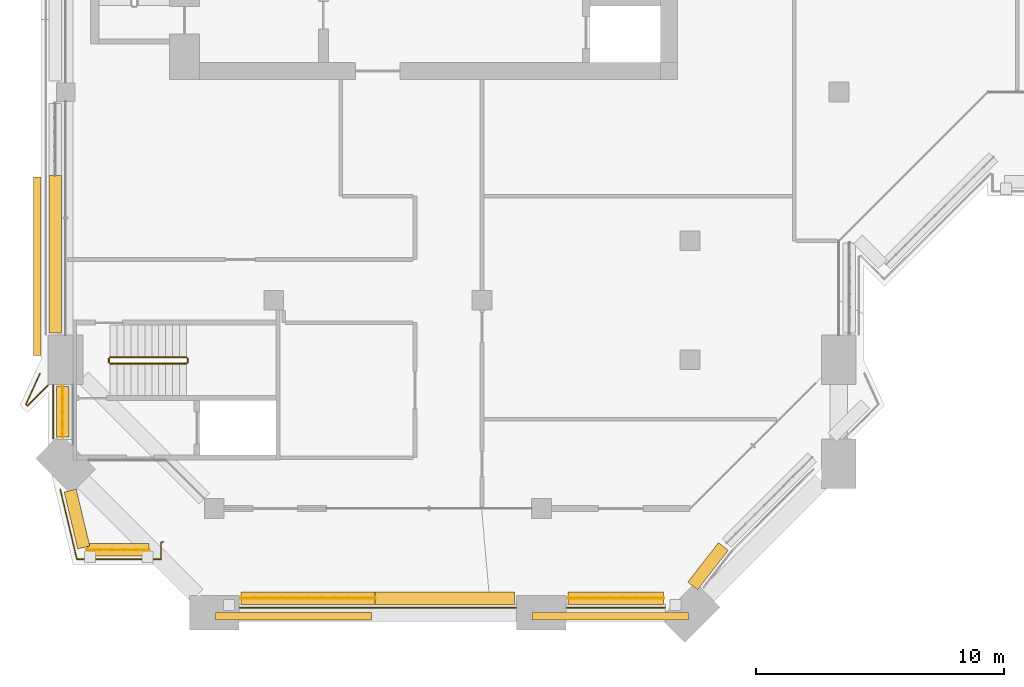
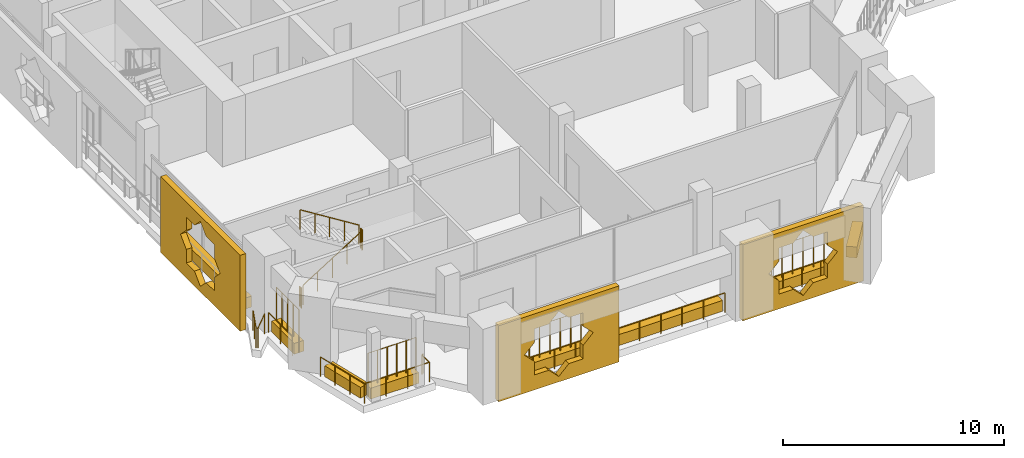
# One storey, part 15 of 22: 13 railings, 11 coverings.
"""IFC4 building model written with IfcOpenShell, lengths in metres."""

from ifc_helpers import new_model, si_unit, direction, frame, origin, origin_2d, place, context, subcontext, project, spatial, polyline, rectangle, circle, outline, extrude, material, material_profile, profile_set, type_object, element, save


model = new_model("IFC4")

# Units and contexts
model_context = context("Model", 3, precision=1e-05, world=origin(), true_north=direction((0.0, 1.0)))
body_context = subcontext(model_context, "Body", "Model", "MODEL_VIEW")
ifc_project = project(units=[si_unit("LENGTHUNIT", "METRE"), si_unit("AREAUNIT", "SQUARE_METRE"), si_unit("VOLUMEUNIT", "CUBIC_METRE"), si_unit("PLANEANGLEUNIT", "RADIAN"), si_unit("MASSUNIT", "GRAM", prefix="KILO")], contexts=[model_context])

# Site, building, storey
site_placement = place(None, origin())
site = spatial("IfcSite", under=ifc_project, at=site_placement, CompositionType="ELEMENT")
building_placement = place(site_placement, origin())
building = spatial("IfcBuilding", under=site, at=building_placement, Name="Kawkab Arch Medical Tower", CompositionType="ELEMENT")
storey_placement = place(building_placement, frame((0.0, 0.0, 294.39990234375)))
storey = spatial("IfcBuildingStorey", under=building, at=storey_placement, Name="L68", CompositionType="ELEMENT", Elevation=294.39990234375)

# Railings
ifc_material_1 = material(Name="Bronze anodised aluminium guard", Category="aluminium")
railing_type_1 = type_object("IfcRailingType", Name="Loggia and terrace guard 1100", PredefinedType="GUARDRAIL", material=ifc_material_1)
railing_1_placement = place(storey_placement, frame((3.94189453125, -43.339111328125, 0.0)))
element("IfcRailing", 1, at=railing_1_placement, inside=storey, type_object=railing_type_1, Name="Guard L68.LOG-01.1.1", PredefinedType="GUARDRAIL", context=body_context, shape_type="SweptSolid", body=[
    extrude(circle(Radius=0.02392578125, at=origin_2d()), frame((0.0, 0.0, 1.076171875), z_axis=(-0.924525255645, -0.381120783577, 0.0), x_axis=(0.381120783577, -0.924525255645, 0.0)), (0.0, 0.0, 1.0), 0.099365234375),
    extrude(circle(Radius=0.02392578125, at=origin_2d()), frame((-0.091796875, -0.037841796875, 1.076171875), z_axis=(0.0, -1.0, 0.0), x_axis=(1.0, 0.0, 0.0)), (0.0, 0.0, 1.0), 0.673095703125),
    extrude(circle(Radius=0.02392578125, at=origin_2d()), frame((-0.091796875, -0.7109375, 1.076171875), z_axis=(-1.0, 0.0, 0.0), x_axis=(0.0, -1.0, 0.0)), (0.0, 0.0, 1.0), 3.39208984375),
    extrude(circle(Radius=0.02392578125, at=origin_2d()), frame((-3.48388671875, -0.7109375, 1.076171875), z_axis=(-0.231442138983, 0.972848670813, 0.0), x_axis=(-0.972848670813, -0.231442138983, 0.0)), (0.0, 0.0, 1.0), 2.898681640625),
    extrude(circle(Radius=0.02099609375, at=origin_2d()), origin(), (0.0, 0.0, 1.0), 1.052001953125),
    extrude(circle(Radius=0.02099609375, at=origin_2d()), frame((-0.091796875, -0.037841796875, 0.0)), (0.0, 0.0, 1.0), 1.052001953125),
    extrude(circle(Radius=0.02099609375, at=origin_2d()), frame((-0.091796875, -0.7109375, 0.0)), (0.0, 0.0, 1.0), 1.052001953125),
    extrude(circle(Radius=0.02099609375, at=origin_2d()), frame((-1.222412109375, -0.7109375, 0.0)), (0.0, 0.0, 1.0), 1.052001953125),
    extrude(circle(Radius=0.02099609375, at=origin_2d()), frame((-2.353271484375, -0.7109375, 0.0)), (0.0, 0.0, 1.0), 1.052001953125),
    extrude(circle(Radius=0.02099609375, at=origin_2d()), frame((-3.48388671875, -0.7109375, 0.0)), (0.0, 0.0, 1.0), 1.052001953125),
    extrude(circle(Radius=0.02099609375, at=origin_2d()), frame((-3.70751953125, 0.22900390625, 0.0)), (0.0, 0.0, 1.0), 1.052001953125),
    extrude(circle(Radius=0.02099609375, at=origin_2d()), frame((-3.93115234375, 1.169189453125, 0.0)), (0.0, 0.0, 1.0), 1.052001953125),
    extrude(circle(Radius=0.02099609375, at=origin_2d()), frame((-4.15478515625, 2.109130859375, 0.0)), (0.0, 0.0, 1.0), 1.052001953125),
])
railing_2_placement = place(storey_placement, frame((-0.5, -39.169921875, 0.0)))
element("IfcRailing", 2, at=railing_2_placement, inside=storey, type_object=railing_type_1, Name="Guard L68.LOG-01.1.2", PredefinedType="GUARDRAIL", context=body_context, shape_type="SweptSolid", body=[
    extrude(circle(Radius=0.02392578125, at=origin_2d()), frame((0.0, 0.0, 1.076171875), z_axis=(0.0, 1.0, 0.0), x_axis=(-1.0, 0.0, 0.0)), (0.0, 0.0, 1.0), 2.139892578125),
    extrude(circle(Radius=0.02099609375, at=origin_2d()), origin(), (0.0, 0.0, 1.0), 1.052001953125),
    extrude(circle(Radius=0.02099609375, at=origin_2d()), frame((0.0, 1.06982421875, 0.0)), (0.0, 0.0, 1.0), 1.052001953125),
    extrude(circle(Radius=0.02099609375, at=origin_2d()), frame((0.0, 2.139892578125, 0.0)), (0.0, 0.0, 1.0), 1.052001953125),
])
railing_3_placement = place(storey_placement, frame((-0.712890625, -37.030029296875, 0.0)))
element("IfcRailing", 3, at=railing_3_placement, inside=storey, type_object=railing_type_1, Name="Guard L68.LOG-01.1.3", PredefinedType="GUARDRAIL", context=body_context, shape_type="SweptSolid", body=[
    extrude(circle(Radius=0.02392578125, at=origin_2d()), frame((0.0, 0.0, 1.076171875), z_axis=(-0.707211390517, -0.707002156378, 0.0), x_axis=(0.707002156378, -0.707211390517, 0.0)), (0.0, 0.0, 1.0), 1.166748046875),
    extrude(circle(Radius=0.02392578125, at=origin_2d()), frame((-0.8251953125, -0.824951171875, 1.076171875), z_axis=(-0.705665181634, 0.708545447681, 0.0), x_axis=(-0.708545447681, -0.705665181634, 0.0)), (0.0, 0.0, 1.0), 0.084716796875),
    extrude(circle(Radius=0.02392578125, at=origin_2d()), frame((-0.885009765625, -0.764892578125, 1.076171875), z_axis=(0.414487545312, 0.910054984483, 0.0), x_axis=(-0.910054984483, 0.414487545312, 0.0)), (0.0, 0.0, 1.0), 1.3701171875),
    extrude(circle(Radius=0.02099609375, at=origin_2d()), origin(), (0.0, 0.0, 1.0), 1.052001953125),
    extrude(circle(Radius=0.02099609375, at=origin_2d()), frame((-0.8251953125, -0.824951171875, 0.0)), (0.0, 0.0, 1.0), 1.052001953125),
    extrude(circle(Radius=0.02099609375, at=origin_2d()), frame((-0.885009765625, -0.764892578125, 0.0)), (0.0, 0.0, 1.0), 1.052001953125),
    extrude(circle(Radius=0.02099609375, at=origin_2d()), frame((-0.60107421875, -0.1416015625, 0.0)), (0.0, 0.0, 1.0), 1.052001953125),
    extrude(circle(Radius=0.02099609375, at=origin_2d()), frame((-0.317138671875, 0.48193359375, 0.0)), (0.0, 0.0, 1.0), 1.052001953125),
])
railing_4_placement = place(storey_placement, frame((24.169921875, -46.0, 0.0)))
element("IfcRailing", 4, at=railing_4_placement, inside=storey, type_object=railing_type_1, Name="Guard L68.LOG-01.1.7", PredefinedType="GUARDRAIL", context=body_context, shape_type="SweptSolid", body=[
    extrude(circle(Radius=0.02392578125, at=origin_2d()), frame((0.0, 0.0, 1.076171875), z_axis=(-1.0, 0.0, 0.0), x_axis=(0.0, -1.0, 0.0)), (0.0, 0.0, 1.0), 3.93994140625),
    extrude(circle(Radius=0.02099609375, at=origin_2d()), origin(), (0.0, 0.0, 1.0), 1.052001953125),
    extrude(circle(Radius=0.02099609375, at=origin_2d()), frame((-0.98486328125, 0.0, 0.0)), (0.0, 0.0, 1.0), 1.052001953125),
    extrude(circle(Radius=0.02099609375, at=origin_2d()), frame((-1.969970703125, 0.0, 0.0)), (0.0, 0.0, 1.0), 1.052001953125),
    extrude(circle(Radius=0.02099609375, at=origin_2d()), frame((-2.955078125, 0.0, 0.0)), (0.0, 0.0, 1.0), 1.052001953125),
    extrude(circle(Radius=0.02099609375, at=origin_2d()), frame((-3.93994140625, 0.0, 0.0)), (0.0, 0.0, 1.0), 1.052001953125),
])
railing_5_placement = place(storey_placement, frame((18.169921875, -46.0, 0.0)))
element("IfcRailing", 5, at=railing_5_placement, inside=storey, type_object=railing_type_1, Name="Guard L68.LOG-01.1.8", PredefinedType="GUARDRAIL", context=body_context, shape_type="SweptSolid", body=[
    extrude(circle(Radius=0.02392578125, at=origin_2d()), frame((0.0, 0.0, 1.076171875), z_axis=(-1.0, 0.0, 0.0), x_axis=(0.0, -1.0, 0.0)), (0.0, 0.0, 1.0), 11.139892578125),
    extrude(circle(Radius=0.02099609375, at=origin_2d()), origin(), (0.0, 0.0, 1.0), 1.052001953125),
    extrude(circle(Radius=0.02099609375, at=origin_2d()), frame((-1.114013671875, 0.0, 0.0)), (0.0, 0.0, 1.0), 1.052001953125),
    extrude(circle(Radius=0.02099609375, at=origin_2d()), frame((-2.22802734375, 0.0, 0.0)), (0.0, 0.0, 1.0), 1.052001953125),
    extrude(circle(Radius=0.02099609375, at=origin_2d()), frame((-3.342041015625, 0.0, 0.0)), (0.0, 0.0, 1.0), 1.052001953125),
    extrude(circle(Radius=0.02099609375, at=origin_2d()), frame((-4.4560546875, 0.0, 0.0)), (0.0, 0.0, 1.0), 1.052001953125),
    extrude(circle(Radius=0.02099609375, at=origin_2d()), frame((-5.56982421875, 0.0, 0.0)), (0.0, 0.0, 1.0), 1.052001953125),
    extrude(circle(Radius=0.02099609375, at=origin_2d()), frame((-6.683837890625, 0.0, 0.0)), (0.0, 0.0, 1.0), 1.052001953125),
    extrude(circle(Radius=0.02099609375, at=origin_2d()), frame((-7.7978515625, 0.0, 0.0)), (0.0, 0.0, 1.0), 1.052001953125),
    extrude(circle(Radius=0.02099609375, at=origin_2d()), frame((-8.911865234375, 0.0, 0.0)), (0.0, 0.0, 1.0), 1.052001953125),
    extrude(circle(Radius=0.02099609375, at=origin_2d()), frame((-10.02587890625, 0.0, 0.0)), (0.0, 0.0, 1.0), 1.052001953125),
    extrude(circle(Radius=0.02099609375, at=origin_2d()), frame((-11.139892578125, 0.0, 0.0)), (0.0, 0.0, 1.0), 1.052001953125),
])

# Coverings
ifc_material_2 = material(Name="Bronze anodised aluminium mashrabiya panel, eight-point star pattern", Category="aluminium")
ifc_material_profile_1 = material_profile(ifc_material_2, outline(polyline([(-3.14990234375, -2.10009765625), (3.14990234375, -2.10009765625), (3.14990234375, 2.10009765625), (-3.14990234375, 2.10009765625), (-3.14990234375, -2.10009765625)]), holes=[polyline([(1.800048828125, 0.0), (1.272705078125, 0.527099609375), (1.272705078125, 1.272705078125), (0.527099609375, 1.272705078125), (0.0, 1.800048828125), (-0.527099609375, 1.272705078125), (-1.272705078125, 1.272705078125), (-1.272705078125, 0.527099609375), (-1.800048828125, 0.0), (-1.272705078125, -0.527099609375), (-1.272705078125, -1.272705078125), (-0.527099609375, -1.272705078125), (0.0, -1.800048828125), (0.527099609375, -1.272705078125), (1.272705078125, -1.272705078125), (1.272705078125, -0.527099609375), (1.800048828125, 0.0)])]), Name="Mashrabiya panel 6300x4200")
ifc_profile_set_1 = profile_set([ifc_material_profile_1], Name="Bronze anodised aluminium mashrabiya panel, eight-point star pattern")
covering_type_1 = type_object("IfcCoveringType", Name="Mashrabiya panel 6300 x 4200", PredefinedType="USERDEFINED", material=ifc_profile_set_1)
for number, where, z_axis, x_axis, name in (
    (6, (21.976806640625, -46.199951171875, 1.7001953125), (0.0, -1.0, 0.0), (1.0, 0.0, 0.0), "Mashrabiya panel L68.LOG-01-01.8"),
    (7, (9.203369140625, -46.199951171875, 1.7001953125), (0.0, -1.0, 0.0), (1.0, 0.0, 0.0), "Mashrabiya panel L68.LOG-01-01.9"),
):
    element("IfcCovering", number, at=place(storey_placement, frame(where, z_axis=z_axis, x_axis=x_axis)), inside=storey, type_object=covering_type_1, Name=name, ObjectType="SCREEN", PredefinedType="USERDEFINED", context=body_context, shape_type="SweptSolid", body=[
        extrude(outline(polyline([(-3.14990234375, -2.10009765625), (3.14990234375, -2.10009765625), (3.14990234375, 2.10009765625), (-3.14990234375, 2.10009765625), (-3.14990234375, -2.10009765625)]), holes=[polyline([(1.800048828125, 0.0), (1.272705078125, 0.527099609375), (1.272705078125, 1.272705078125), (0.527099609375, 1.272705078125), (0.0, 1.800048828125), (-0.527099609375, 1.272705078125), (-1.272705078125, 1.272705078125), (-1.272705078125, 0.527099609375), (-1.800048828125, 0.0), (-1.272705078125, -0.527099609375), (-1.272705078125, -1.272705078125), (-0.527099609375, -1.272705078125), (0.0, -1.800048828125), (0.527099609375, -1.272705078125), (1.272705078125, -1.272705078125), (1.272705078125, -0.527099609375), (1.800048828125, 0.0)])]), origin(), (0.0, 0.0, 1.0), 0.300048828125),
    ])
ifc_material_3 = material(Name="Bronze anodised aluminium mashrabiya panel, eight-point star pattern", Category="aluminium")
ifc_material_profile_2 = material_profile(ifc_material_3, outline(polyline([(-3.60009765625, -2.10009765625), (3.60009765625, -2.10009765625), (3.60009765625, 2.10009765625), (-3.60009765625, 2.10009765625), (-3.60009765625, -2.10009765625)]), holes=[polyline([(1.800048828125, 0.0), (1.272705078125, 0.527099609375), (1.272705078125, 1.272705078125), (0.527099609375, 1.272705078125), (0.0, 1.800048828125), (-0.527099609375, 1.272705078125), (-1.272705078125, 1.272705078125), (-1.272705078125, 0.527099609375), (-1.800048828125, 0.0), (-1.272705078125, -0.527099609375), (-1.272705078125, -1.272705078125), (-0.527099609375, -1.272705078125), (0.0, -1.800048828125), (0.527099609375, -1.272705078125), (1.272705078125, -1.272705078125), (1.272705078125, -0.527099609375), (1.800048828125, 0.0)])]), Name="Mashrabiya panel 7200x4200")
ifc_profile_set_2 = profile_set([ifc_material_profile_2], Name="Bronze anodised aluminium mashrabiya panel, eight-point star pattern")
covering_type_2 = type_object("IfcCoveringType", Name="Mashrabiya panel 7200 x 4200", PredefinedType="USERDEFINED", material=ifc_profile_set_2)
covering_1_placement = place(storey_placement, frame((-1.0, -32.231689453125, 1.7001953125), z_axis=(-1.0, 0.0, 0.0), x_axis=(0.0, -1.0, 0.0)))
element("IfcCovering", 8, at=covering_1_placement, inside=storey, type_object=covering_type_2, Name="Mashrabiya panel L68.LOG-01-01.1", ObjectType="SCREEN", PredefinedType="USERDEFINED", context=body_context, shape_type="SweptSolid", body=[
    extrude(outline(polyline([(-3.60009765625, -2.10009765625), (3.60009765625, -2.10009765625), (3.60009765625, 2.10009765625), (-3.60009765625, 2.10009765625), (-3.60009765625, -2.10009765625)]), holes=[polyline([(1.800048828125, 0.0), (1.272705078125, 0.527099609375), (1.272705078125, 1.272705078125), (0.527099609375, 1.272705078125), (0.0, 1.800048828125), (-0.527099609375, 1.272705078125), (-1.272705078125, 1.272705078125), (-1.272705078125, 0.527099609375), (-1.800048828125, 0.0), (-1.272705078125, -0.527099609375), (-1.272705078125, -1.272705078125), (-0.527099609375, -1.272705078125), (0.0, -1.800048828125), (0.527099609375, -1.272705078125), (1.272705078125, -1.272705078125), (1.272705078125, -0.527099609375), (1.800048828125, 0.0)])]), origin(), (0.0, 0.0, 1.0), 0.300048828125),
])
ifc_material_4 = material(Name="Planting soil in a precast trough", Category="concrete")
ifc_material_profile_3 = material_profile(ifc_material_4, rectangle(XDim=0.5, YDim=0.60009765625, at=origin_2d()), Name="Trough 500x600")
ifc_profile_set_3 = profile_set([ifc_material_profile_3], Name="Planting soil in a precast trough")
covering_type_3 = type_object("IfcCoveringType", Name="Planter trough 500 x 600", PredefinedType="USERDEFINED", material=ifc_profile_set_3)
covering_2_placement = place(storey_placement, frame((3.3701171875, -43.669921875, 0.300048828125), z_axis=(-1.0, 0.0, 0.0), x_axis=(0.0, -1.0, 0.0)))
element("IfcCovering", 9, at=covering_2_placement, inside=storey, type_object=covering_type_3, Name="Planter L68.LOG-01-01.1", ObjectType="PLANTER", PredefinedType="USERDEFINED", context=body_context, shape_type="SweptSolid", body=[
    extrude(rectangle(XDim=0.5, YDim=0.60009765625, at=origin_2d()), origin(), (0.0, 0.0, 1.0), 2.51220703125),
])
covering_3_placement = place(storey_placement, frame((0.735107421875, -43.572998046875, 0.300048828125), z_axis=(-0.231699875656, 0.972787318802, 0.0), x_axis=(-0.972787318802, -0.231699875656, 0.0)))
element("IfcCovering", 10, at=covering_3_placement, inside=storey, type_object=covering_type_3, Name="Planter L68.LOG-01-01.2", ObjectType="PLANTER", PredefinedType="USERDEFINED", context=body_context, shape_type="SweptSolid", body=[
    extrude(rectangle(XDim=0.5, YDim=0.60009765625, at=origin_2d()), origin(), (0.0, 0.0, 1.0), 2.357177734375),
])
covering_4_placement = place(storey_placement, frame((-0.1201171875, -39.1201171875, 0.300048828125), z_axis=(0.0, 1.0, 0.0), x_axis=(-1.0, 0.0, 0.0)))
element("IfcCovering", 11, at=covering_4_placement, inside=storey, type_object=covering_type_3, Name="Planter L68.LOG-01-01.3", ObjectType="PLANTER", PredefinedType="USERDEFINED", context=body_context, shape_type="SweptSolid", body=[
    extrude(rectangle(XDim=0.5, YDim=0.60009765625, at=origin_2d()), origin(), (0.0, 0.0, 1.0), 2.0400390625),
])
covering_5_placement = place(storey_placement, frame((-0.419921875, -34.919921875, 0.300048828125), z_axis=(0.0, 1.0, 0.0), x_axis=(-1.0, 0.0, 0.0)))
element("IfcCovering", 12, at=covering_5_placement, inside=storey, type_object=covering_type_3, Name="Planter L68.LOG-01-01.4", ObjectType="PLANTER", PredefinedType="USERDEFINED", context=body_context, shape_type="SweptSolid", body=[
    extrude(rectangle(XDim=0.5, YDim=0.60009765625, at=origin_2d()), origin(), (0.0, 0.0, 1.0), 6.35693359375),
])
covering_6_placement = place(storey_placement, frame((26.541015625, -43.531982421875, 0.300048828125), z_axis=(-0.61420933359, -0.789143139444, 0.0), x_axis=(0.789143139444, -0.61420933359, 0.0)))
element("IfcCovering", 13, at=covering_6_placement, inside=storey, type_object=covering_type_3, Name="Planter L68.LOG-01-01.34", ObjectType="PLANTER", PredefinedType="USERDEFINED", context=body_context, shape_type="SweptSolid", body=[
    extrude(rectangle(XDim=0.5, YDim=0.60009765625, at=origin_2d()), origin(), (0.0, 0.0, 1.0), 2.012451171875),
])
covering_7_placement = place(storey_placement, frame((24.1201171875, -45.6201171875, 0.300048828125), z_axis=(-1.0, 0.0, 0.0), x_axis=(0.0, -1.0, 0.0)))
element("IfcCovering", 14, at=covering_7_placement, inside=storey, type_object=covering_type_3, Name="Planter L68.LOG-01-01.35", ObjectType="PLANTER", PredefinedType="USERDEFINED", context=body_context, shape_type="SweptSolid", body=[
    extrude(rectangle(XDim=0.5, YDim=0.60009765625, at=origin_2d()), origin(), (0.0, 0.0, 1.0), 3.840087890625),
])
covering_8_placement = place(storey_placement, frame((18.1201171875, -45.6201171875, 0.300048828125), z_axis=(-1.0, 0.0, 0.0), x_axis=(0.0, -1.0, 0.0)))
element("IfcCovering", 15, at=covering_8_placement, inside=storey, type_object=covering_type_3, Name="Planter L68.LOG-01-01.36", ObjectType="PLANTER", PredefinedType="USERDEFINED", context=body_context, shape_type="SweptSolid", body=[
    extrude(rectangle(XDim=0.5, YDim=0.60009765625, at=origin_2d()), origin(), (0.0, 0.0, 1.0), 5.625),
])
covering_9_placement = place(storey_placement, frame((12.4951171875, -45.6201171875, 0.300048828125), z_axis=(-1.0, 0.0, 0.0), x_axis=(0.0, -1.0, 0.0)))
element("IfcCovering", 16, at=covering_9_placement, inside=storey, type_object=covering_type_3, Name="Planter L68.LOG-01-01.37", ObjectType="PLANTER", PredefinedType="USERDEFINED", context=body_context, shape_type="SweptSolid", body=[
    extrude(rectangle(XDim=0.5, YDim=0.60009765625, at=origin_2d()), origin(), (0.0, 0.0, 1.0), 5.4150390625),
])

# Railings
ifc_material_5 = material(Name="Bronze anodised aluminium trellis for climbing plants", Category="aluminium")
railing_type_2 = type_object("IfcRailingType", Name="Planting trellis 2400", PredefinedType="USERDEFINED", material=ifc_material_5)
railing_6_placement = place(storey_placement, frame((3.3701171875, -43.669921875, 0.0)))
element("IfcRailing", 17, at=railing_6_placement, inside=storey, type_object=railing_type_2, Name="Planting trellis L68.LOG-01-01.1", ObjectType="TRELLIS", PredefinedType="USERDEFINED", context=body_context, shape_type="SweptSolid", body=[
    extrude(circle(Radius=0.01513671875, at=origin_2d()), frame((0.0, 0.0, 2.384765625), z_axis=(-1.0, 0.0, 0.0), x_axis=(0.0, -1.0, 0.0)), (0.0, 0.0, 1.0), 2.51220703125),
    extrude(circle(Radius=0.030029296875, at=origin_2d()), origin(), (0.0, 0.0, 1.0), 2.369873046875),
    extrude(circle(Radius=0.030029296875, at=origin_2d()), frame((-0.50244140625, 0.0, 0.0)), (0.0, 0.0, 1.0), 2.369873046875),
    extrude(circle(Radius=0.030029296875, at=origin_2d()), frame((-1.0048828125, 0.0, 0.0)), (0.0, 0.0, 1.0), 2.369873046875),
    extrude(circle(Radius=0.030029296875, at=origin_2d()), frame((-1.50732421875, 0.0, 0.0)), (0.0, 0.0, 1.0), 2.369873046875),
    extrude(circle(Radius=0.030029296875, at=origin_2d()), frame((-2.009765625, 0.0, 0.0)), (0.0, 0.0, 1.0), 2.369873046875),
    extrude(circle(Radius=0.030029296875, at=origin_2d()), frame((-2.51220703125, 0.0, 0.0)), (0.0, 0.0, 1.0), 2.369873046875),
])
railing_7_placement = place(storey_placement, frame((-0.1201171875, -39.1201171875, 0.0)))
element("IfcRailing", 18, at=railing_7_placement, inside=storey, type_object=railing_type_2, Name="Planting trellis L68.LOG-01-01.3", ObjectType="TRELLIS", PredefinedType="USERDEFINED", context=body_context, shape_type="SweptSolid", body=[
    extrude(circle(Radius=0.01513671875, at=origin_2d()), frame((0.0, 0.0, 2.384765625), z_axis=(0.0, 1.0, 0.0), x_axis=(-1.0, 0.0, 0.0)), (0.0, 0.0, 1.0), 2.0400390625),
    extrude(circle(Radius=0.030029296875, at=origin_2d()), origin(), (0.0, 0.0, 1.0), 2.369873046875),
    extrude(circle(Radius=0.030029296875, at=origin_2d()), frame((0.0, 0.510009765625, 0.0)), (0.0, 0.0, 1.0), 2.369873046875),
    extrude(circle(Radius=0.030029296875, at=origin_2d()), frame((0.0, 1.02001953125, 0.0)), (0.0, 0.0, 1.0), 2.369873046875),
    extrude(circle(Radius=0.030029296875, at=origin_2d()), frame((0.0, 1.530029296875, 0.0)), (0.0, 0.0, 1.0), 2.369873046875),
    extrude(circle(Radius=0.030029296875, at=origin_2d()), frame((0.0, 2.0400390625, 0.0)), (0.0, 0.0, 1.0), 2.369873046875),
])
railing_8_placement = place(storey_placement, frame((24.1201171875, -45.6201171875, 0.0)))
element("IfcRailing", 19, at=railing_8_placement, inside=storey, type_object=railing_type_2, Name="Planting trellis L68.LOG-01-01.35", ObjectType="TRELLIS", PredefinedType="USERDEFINED", context=body_context, shape_type="SweptSolid", body=[
    extrude(circle(Radius=0.01513671875, at=origin_2d()), frame((0.0, 0.0, 2.384765625), z_axis=(-1.0, 0.0, 0.0), x_axis=(0.0, -1.0, 0.0)), (0.0, 0.0, 1.0), 3.840087890625),
    extrude(circle(Radius=0.030029296875, at=origin_2d()), origin(), (0.0, 0.0, 1.0), 2.369873046875),
    extrude(circle(Radius=0.030029296875, at=origin_2d()), frame((-0.548583984375, 0.0, 0.0)), (0.0, 0.0, 1.0), 2.369873046875),
    extrude(circle(Radius=0.030029296875, at=origin_2d()), frame((-1.09716796875, 0.0, 0.0)), (0.0, 0.0, 1.0), 2.369873046875),
    extrude(circle(Radius=0.030029296875, at=origin_2d()), frame((-1.645751953125, 0.0, 0.0)), (0.0, 0.0, 1.0), 2.369873046875),
    extrude(circle(Radius=0.030029296875, at=origin_2d()), frame((-2.1943359375, 0.0, 0.0)), (0.0, 0.0, 1.0), 2.369873046875),
    extrude(circle(Radius=0.030029296875, at=origin_2d()), frame((-2.742919921875, 0.0, 0.0)), (0.0, 0.0, 1.0), 2.369873046875),
    extrude(circle(Radius=0.030029296875, at=origin_2d()), frame((-3.29150390625, 0.0, 0.0)), (0.0, 0.0, 1.0), 2.369873046875),
    extrude(circle(Radius=0.030029296875, at=origin_2d()), frame((-3.840087890625, 0.0, 0.0)), (0.0, 0.0, 1.0), 2.369873046875),
])
railing_9_placement = place(storey_placement, frame((12.4951171875, -45.6201171875, 0.0)))
element("IfcRailing", 20, at=railing_9_placement, inside=storey, type_object=railing_type_2, Name="Planting trellis L68.LOG-01-01.37", ObjectType="TRELLIS", PredefinedType="USERDEFINED", context=body_context, shape_type="SweptSolid", body=[
    extrude(circle(Radius=0.01513671875, at=origin_2d()), frame((0.0, 0.0, 2.384765625), z_axis=(-1.0, 0.0, 0.0), x_axis=(0.0, -1.0, 0.0)), (0.0, 0.0, 1.0), 5.4150390625),
    extrude(circle(Radius=0.030029296875, at=origin_2d()), origin(), (0.0, 0.0, 1.0), 2.369873046875),
    extrude(circle(Radius=0.030029296875, at=origin_2d()), frame((-0.54150390625, 0.0, 0.0)), (0.0, 0.0, 1.0), 2.369873046875),
    extrude(circle(Radius=0.030029296875, at=origin_2d()), frame((-1.0830078125, 0.0, 0.0)), (0.0, 0.0, 1.0), 2.369873046875),
    extrude(circle(Radius=0.030029296875, at=origin_2d()), frame((-1.62451171875, 0.0, 0.0)), (0.0, 0.0, 1.0), 2.369873046875),
    extrude(circle(Radius=0.030029296875, at=origin_2d()), frame((-2.166015625, 0.0, 0.0)), (0.0, 0.0, 1.0), 2.369873046875),
    extrude(circle(Radius=0.030029296875, at=origin_2d()), frame((-2.70751953125, 0.0, 0.0)), (0.0, 0.0, 1.0), 2.369873046875),
    extrude(circle(Radius=0.030029296875, at=origin_2d()), frame((-3.2490234375, 0.0, 0.0)), (0.0, 0.0, 1.0), 2.369873046875),
    extrude(circle(Radius=0.030029296875, at=origin_2d()), frame((-3.79052734375, 0.0, 0.0)), (0.0, 0.0, 1.0), 2.369873046875),
    extrude(circle(Radius=0.030029296875, at=origin_2d()), frame((-4.33203125, 0.0, 0.0)), (0.0, 0.0, 1.0), 2.369873046875),
    extrude(circle(Radius=0.030029296875, at=origin_2d()), frame((-4.87353515625, 0.0, 0.0)), (0.0, 0.0, 1.0), 2.369873046875),
    extrude(circle(Radius=0.030029296875, at=origin_2d()), frame((-5.4150390625, 0.0, 0.0)), (0.0, 0.0, 1.0), 2.369873046875),
])
ifc_material_6 = material(Name="Stainless steel", Category="steel")
railing_type_3 = type_object("IfcRailingType", Name="Stair guard 1100", PredefinedType="GUARDRAIL", material=ifc_material_6)
railing_10_placement = place(storey_placement, frame((1.800048828125, -36.14990234375, 0.175048828125)))
element("IfcRailing", 21, at=railing_10_placement, inside=storey, type_object=railing_type_3, Name="L68 ST6 stair guard 1", PredefinedType="GUARDRAIL", context=body_context, shape_type="SweptSolid", body=[
    extrude(circle(Radius=0.02392578125, at=origin_2d()), frame((0.0, 0.0, 1.076171875), z_axis=(0.847979421464, 0.0, 0.530029150871), x_axis=(0.0, 1.0, 0.0)), (0.0, 0.0, 1.0), 3.632080078125),
    extrude(circle(Radius=0.02099609375, at=origin_2d()), origin(), (0.0, 0.0, 1.0), 1.052001953125),
    extrude(circle(Radius=0.02099609375, at=origin_2d()), frame((0.77001953125, 0.0, 0.481201171875)), (0.0, 0.0, 1.0), 1.052001953125),
    extrude(circle(Radius=0.02099609375, at=origin_2d()), frame((1.5400390625, 0.0, 0.96240234375)), (0.0, 0.0, 1.0), 1.052001953125),
    extrude(circle(Radius=0.02099609375, at=origin_2d()), frame((2.309814453125, 0.0, 1.44384765625)), (0.0, 0.0, 1.0), 1.052001953125),
    extrude(circle(Radius=0.02099609375, at=origin_2d()), frame((3.079833984375, 0.0, 1.925048828125)), (0.0, 0.0, 1.0), 1.052001953125),
])
railing_11_placement = place(storey_placement, frame((4.929931640625, -36.10009765625, 2.10009765625)))
element("IfcRailing", 22, at=railing_11_placement, inside=storey, type_object=railing_type_3, Name="L68 ST6 stair guard 2", PredefinedType="GUARDRAIL", context=body_context, shape_type="SweptSolid", body=[
    extrude(circle(Radius=0.02392578125, at=origin_2d()), frame((0.0, 0.0, 1.076171875), z_axis=(0.0, 1.0, 0.0), x_axis=(-1.0, 0.0, 0.0)), (0.0, 0.0, 1.0), 0.150146484375),
    extrude(circle(Radius=0.02099609375, at=origin_2d()), origin(), (0.0, 0.0, 1.0), 1.052001953125),
    extrude(circle(Radius=0.02099609375, at=origin_2d()), frame((0.0, 0.150146484375, 0.0)), (0.0, 0.0, 1.0), 1.052001953125),
])
railing_12_placement = place(storey_placement, frame((4.8798828125, -35.89990234375, 2.275146484375)))
element("IfcRailing", 23, at=railing_12_placement, inside=storey, type_object=railing_type_3, Name="L68 ST6 stair guard 3", PredefinedType="GUARDRAIL", context=body_context, shape_type="SweptSolid", body=[
    extrude(circle(Radius=0.02392578125, at=origin_2d()), frame((0.0, 0.0, 1.076171875), z_axis=(-0.847979421464, 0.0, 0.530029150871), x_axis=(0.0, -1.0, 0.0)), (0.0, 0.0, 1.0), 3.632080078125),
    extrude(circle(Radius=0.02099609375, at=origin_2d()), origin(), (0.0, 0.0, 1.0), 1.052001953125),
    extrude(circle(Radius=0.02099609375, at=origin_2d()), frame((-0.77001953125, 0.0, 0.481201171875)), (0.0, 0.0, 1.0), 1.052001953125),
    extrude(circle(Radius=0.02099609375, at=origin_2d()), frame((-1.5400390625, 0.0, 0.96240234375)), (0.0, 0.0, 1.0), 1.052001953125),
    extrude(circle(Radius=0.02099609375, at=origin_2d()), frame((-2.309814453125, 0.0, 1.44384765625)), (0.0, 0.0, 1.0), 1.052001953125),
    extrude(circle(Radius=0.02099609375, at=origin_2d()), frame((-3.079833984375, 0.0, 1.925048828125)), (0.0, 0.0, 1.0), 1.052001953125),
])
railing_13_placement = place(storey_placement, frame((1.75, -36.10009765625, 0.0)))
element("IfcRailing", 24, at=railing_13_placement, inside=storey, type_object=railing_type_3, Name="L68 ST6 stair guard 4", PredefinedType="GUARDRAIL", context=body_context, shape_type="SweptSolid", body=[
    extrude(circle(Radius=0.02392578125, at=origin_2d()), frame((0.0, 0.0, 1.076171875), z_axis=(0.0, 1.0, 0.0), x_axis=(-1.0, 0.0, 0.0)), (0.0, 0.0, 1.0), 0.150146484375),
    extrude(circle(Radius=0.02099609375, at=origin_2d()), origin(), (0.0, 0.0, 1.0), 1.052001953125),
    extrude(circle(Radius=0.02099609375, at=origin_2d()), frame((0.0, 0.150146484375, 0.0)), (0.0, 0.0, 1.0), 1.052001953125),
])

save(model, "model.ifc")
